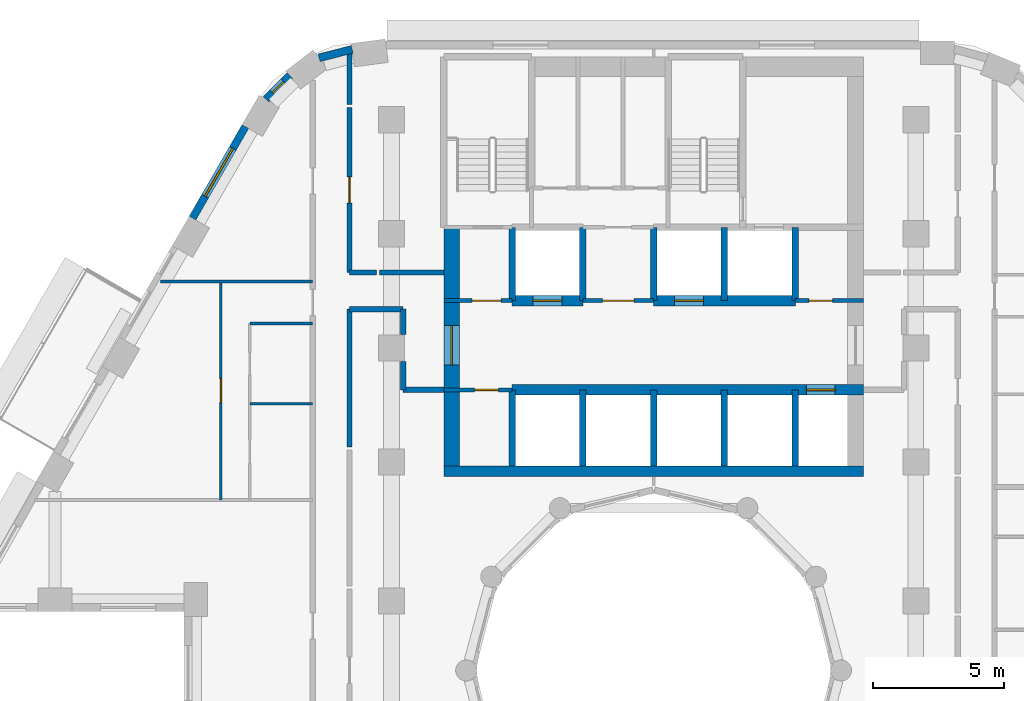
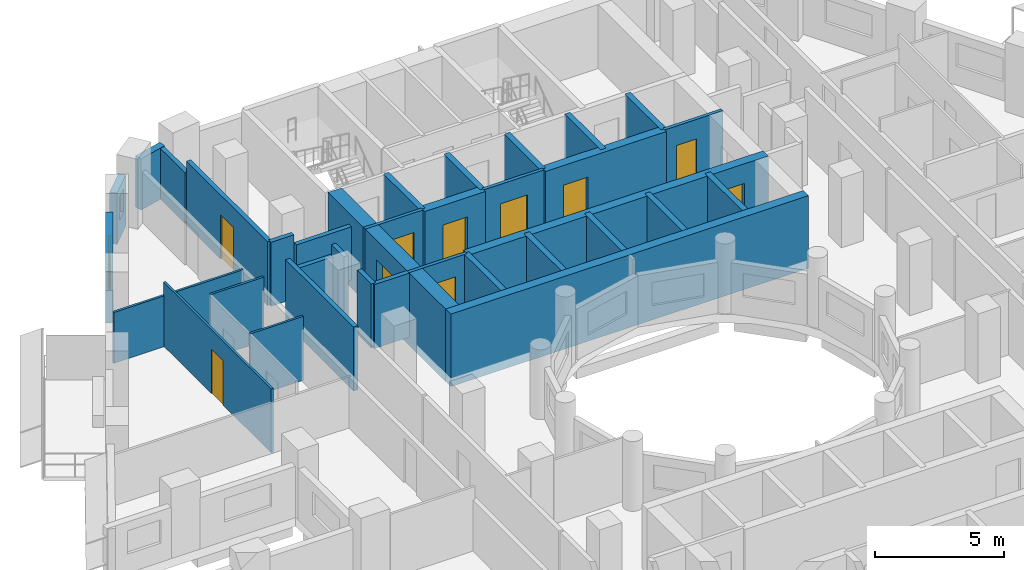
# One storey, part 7 of 14: 35 walls, 10 doors, 2 windows, 12 openings.
"""IFC4 building model written with IfcOpenShell, lengths in metres."""

from ifc_helpers import new_model, si_unit, direction, frame, frame_2d, origin, place, context, subcontext, project, spatial, rectangle, extrude, material, layer, layer_set, type_object, element, fill, save


model = new_model("IFC4")

# Units and contexts
model_context = context("Model", 3, precision=1e-05, world=origin(), true_north=direction((0.0, 1.0)))
body_context = subcontext(model_context, "Body", "Model", "MODEL_VIEW")
ifc_project = project(units=[si_unit("LENGTHUNIT", "METRE"), si_unit("AREAUNIT", "SQUARE_METRE"), si_unit("VOLUMEUNIT", "CUBIC_METRE"), si_unit("PLANEANGLEUNIT", "RADIAN"), si_unit("MASSUNIT", "GRAM", prefix="KILO")], contexts=[model_context])

# Site, building, storey
site_placement = place(None, origin())
site = spatial("IfcSite", under=ifc_project, at=site_placement, CompositionType="ELEMENT")
building_placement = place(site_placement, origin())
building = spatial("IfcBuilding", under=site, at=building_placement, Name="Nakaniwa Court", CompositionType="ELEMENT")
storey_placement = place(building_placement, frame((0.0, 0.0, 127.199951171875)))
storey = spatial("IfcBuildingStorey", under=building, at=storey_placement, Name="L32", CompositionType="ELEMENT", Elevation=127.199951171875)

# Walls
ifc_material_1 = material(Name="Acoustic double stud partition")
ifc_layer_1 = layer(ifc_material_1, 0.199951171875)
ifc_layer_set_1 = layer_set([ifc_layer_1], Name="Acoustic double stud partition")
wall_type_1 = type_object("IfcWallType", Name="Acoustic double stud partition 200", PredefinedType="PARTITIONING", material=ifc_layer_set_1)
wall_1_placement = place(storey_placement, frame((68.39990234375, 93.77490234375, 0.0), z_axis=(0.0, 0.0, 1.0), x_axis=(1.0, 0.0, 0.0)))
element("IfcWall", 1, at=wall_1_placement, inside=storey, type_object=wall_type_1, Name="Partition PW-086", PredefinedType="PARTITIONING", context=body_context, shape_type="SweptSolid", body=[
    extrude(rectangle(XDim=2.050048828125, YDim=0.199951171875, at=frame_2d((1.02490234375, 0.0))), origin(), (0.0, 0.0, 1.0), 2.505126953125),
])
wall_2_placement = place(storey_placement, frame((70.449951171875, 90.699951171875, 0.0), z_axis=(0.0, 0.0, 1.0), x_axis=(1.0, 0.0, 0.0)))
element("IfcWall", 2, at=wall_2_placement, inside=storey, type_object=wall_type_1, Name="Partition PW-092", PredefinedType="PARTITIONING", context=body_context, shape_type="SweptSolid", body=[
    extrude(rectangle(XDim=1.550048828125, YDim=0.199951171875, at=frame_2d((0.77490234375, 0.0))), origin(), (0.0, 0.0, 1.0), 3.025146484375),
])
wall_3_placement = place(storey_placement, frame((68.39990234375, 95.175048828125, 0.0), z_axis=(0.0, 0.0, 1.0), x_axis=(1.0, 0.0, 0.0)))
element("IfcWall", 3, at=wall_3_placement, inside=storey, type_object=wall_type_1, Name="Partition PW-094", PredefinedType="PARTITIONING", context=body_context, shape_type="SweptSolid", body=[
    extrude(rectangle(XDim=1.02294921875, YDim=0.199951171875, at=frame_2d((0.511474609375, 0.0))), origin(), (0.0, 0.0, 1.0), 3.025146484375),
])
wall_4_placement = place(storey_placement, frame((69.537109375, 95.175048828125, 0.0), z_axis=(0.0, 0.0, 1.0), x_axis=(1.0, 0.0, 0.0)))
element("IfcWall", 4, at=wall_4_placement, inside=storey, type_object=wall_type_1, Name="Partition PW-095", PredefinedType="PARTITIONING", context=body_context, shape_type="SweptSolid", body=[
    extrude(rectangle(XDim=2.462890625, YDim=0.199951171875, at=frame_2d((1.2314453125, 0.0))), origin(), (0.0, 0.0, 1.0), 2.505126953125),
])
wall_5_placement = place(storey_placement, frame((68.39990234375, 88.527099609375, 0.0), z_axis=(0.0, 0.0, 1.0), x_axis=(0.0, 1.0, 0.0)))
element("IfcWall", 5, at=wall_5_placement, inside=storey, type_object=wall_type_1, Name="Partition PW-107", PredefinedType="PARTITIONING", context=body_context, shape_type="SweptSolid", body=[
    extrude(rectangle(XDim=5.247802734375, YDim=0.199951171875, at=frame_2d((2.6240234375, 0.0))), origin(), (0.0, 0.0, 1.0), 3.025146484375),
])

# Wall, opening, door
wall_6_placement = place(storey_placement, frame((68.39990234375, 101.462890625, 0.0), z_axis=(0.0, 0.0, 1.0), x_axis=(0.0, -1.0, 0.0)))
wall_6 = element("IfcWall", 6, at=wall_6_placement, inside=storey, type_object=wall_type_1, Name="Partition PW-108", PredefinedType="PARTITIONING", context=body_context, shape_type="SweptSolid", body=[
    extrude(rectangle(XDim=6.287841796875, YDim=0.199951171875, at=frame_2d((3.14404296875, 0.0))), origin(), (0.0, 0.0, 1.0), 3.025146484375),
])
opening_1_placement = place(wall_6_placement, frame((2.64501953125, 0.0, 0.0)))
opening_1 = element("IfcOpeningElement", 7, at=opening_1_placement, cuts=wall_6, Name="Opening D-02-09", PredefinedType="OPENING", context=body_context, shape_type="SweptSolid", body=[
    extrude(rectangle(XDim=1.0, YDim=2.10009765625, at=frame_2d((0.5, 1.050048828125))), frame((0.0, 0.10986328125, 0.0), z_axis=(0.0, -1.0, 0.0), x_axis=(1.0, 0.0, 0.0)), (0.0, 0.0, 1.0), 0.219970703125),
])
ifc_material_2 = material(Name="Solid core timber door set, black veneer", Category="wood")
door_type_1 = type_object("IfcDoorType", Name="Internal door 1000", OperationType="NOTDEFINED", PredefinedType="DOOR", material=ifc_material_2)
door_1_placement = place(opening_1_placement, origin())
door_1 = element("IfcDoor", 8, at=door_1_placement, inside=storey, type_object=door_type_1, Name="Door D-02-09 L32-042", OperationType="SINGLE_SWING_LEFT", OverallHeight=2.10009765625, OverallWidth=1.0, PredefinedType="DOOR", context=body_context, shape_type="SweptSolid", body=[
    extrude(rectangle(XDim=1.0, YDim=2.10009765625, at=frame_2d((0.5, 1.050048828125))), frame((0.0, 0.02490234375, 0.0), z_axis=(0.0, -1.0, 0.0), x_axis=(1.0, 0.0, 0.0)), (0.0, 0.0, 1.0), 0.050048828125),
])
fill(opening_1, door_1)

# Walls
wall_7_placement = place(storey_placement, frame((68.39990234375, 101.5771484375, 0.0), z_axis=(0.0, 0.0, 1.0), x_axis=(0.0, 1.0, 0.0)))
element("IfcWall", 9, at=wall_7_placement, inside=storey, type_object=wall_type_1, Name="Partition PW-109", PredefinedType="PARTITIONING", context=body_context, shape_type="SweptSolid", body=[
    extrude(rectangle(XDim=2.02197265625, YDim=0.199951171875, at=frame_2d((1.010986328125, 0.0))), origin(), (0.0, 0.0, 1.0), 2.405029296875),
])
wall_8_placement = place(storey_placement, frame((70.449951171875, 90.699951171875, 0.0), z_axis=(0.0, 0.0, 1.0), x_axis=(0.0, 1.0, 0.0)))
element("IfcWall", 10, at=wall_8_placement, inside=storey, type_object=wall_type_1, Name="Partition PW-113", PredefinedType="PARTITIONING", context=body_context, shape_type="SweptSolid", body=[
    extrude(rectangle(XDim=1.082763671875, YDim=0.199951171875, at=frame_2d((0.54150390625, 0.0))), origin(), (0.0, 0.0, 1.0), 3.025146484375),
])
wall_9_placement = place(storey_placement, frame((70.449951171875, 92.817138671875, 0.0), z_axis=(0.0, 0.0, 1.0), x_axis=(0.0, 1.0, 0.0)))
element("IfcWall", 11, at=wall_9_placement, inside=storey, type_object=wall_type_1, Name="Partition PW-114", PredefinedType="PARTITIONING", context=body_context, shape_type="SweptSolid", body=[
    extrude(rectangle(XDim=0.957763671875, YDim=0.199951171875, at=frame_2d((0.47900390625, 0.0))), origin(), (0.0, 0.0, 1.0), 3.025146484375),
])
ifc_material_3 = material(Name="Charcoal ceramic cladding")
ifc_layer_2 = layer(ifc_material_3, 0.02, Name="Ceramic cladding")
ifc_material_4 = material(Name="Ventilated air cavity")
ifc_layer_3 = layer(ifc_material_4, 0.04, ventilated=True, Name="Ventilated cavity")
ifc_material_5 = material(Name="Mineral wool insulation")
ifc_layer_4 = layer(ifc_material_5, 0.1, Name="Insulation")
ifc_material_6 = material(Name="Cement bonded sheathing board")
ifc_layer_5 = layer(ifc_material_6, 0.012, Name="Sheathing")
ifc_material_7 = material(Name="Cold-formed galvanised stud frame with mineral wool infill")
ifc_layer_6 = layer(ifc_material_7, 0.1, Name="Stud frame")
ifc_material_8 = material(Name="Fire-rated gypsum plasterboard lining")
ifc_layer_7 = layer(ifc_material_8, 0.028, Name="Lining")
ifc_layer_set_2 = layer_set([ifc_layer_2, ifc_layer_3, ifc_layer_4, ifc_layer_5, ifc_layer_6, ifc_layer_7], Name="Charcoal ceramic faced external wall system")
wall_type_2 = type_object("IfcWallType", Name="Black ceramic faced external wall 300", PredefinedType="SOLIDWALL", material=ifc_layer_set_2)
wall_10_placement = place(storey_placement, frame((68.506103515625, 103.68310546875, 0.0), z_axis=(0.0, 0.0, 1.0), x_axis=(-0.96924493129, -0.246098076322, 0.0)))
element("IfcWall", 12, at=wall_10_placement, inside=storey, type_object=wall_type_2, Name="L32 external wall 09", PredefinedType="SOLIDWALL", context=body_context, shape_type="SweptSolid", body=[
    extrude(rectangle(XDim=1.305419921875, YDim=0.300048828125, at=frame_2d((0.65283203125, 0.0))), origin(), (0.0, 0.0, 1.0), 2.425048828125),
])

# Wall, opening, window
wall_11_placement = place(storey_placement, frame((66.12890625, 102.68798828125, 0.0), z_axis=(0.0, 0.0, 1.0), x_axis=(-0.70881270082, -0.705396735997, 0.0)))
wall_11 = element("IfcWall", 13, at=wall_11_placement, inside=storey, type_object=wall_type_2, Name="L32 external wall 10", PredefinedType="SOLIDWALL", context=body_context, shape_type="SweptSolid", body=[
    extrude(rectangle(XDim=1.286376953125, YDim=0.300048828125, at=frame_2d((0.64306640625, 0.0))), origin(), (0.0, 0.0, 1.0), 2.425048828125),
])
opening_2_placement = place(wall_11_placement, frame((0.3330078125, 0.0, 0.89990234375)))
opening_2 = element("IfcOpeningElement", 14, at=opening_2_placement, cuts=wall_11, Name="Opening W8.11", PredefinedType="OPENING", context=body_context, shape_type="SweptSolid", body=[
    extrude(rectangle(XDim=0.60009765625, YDim=1.10009765625, at=frame_2d((0.300048828125, 0.550048828125))), frame((0.0, 0.159912109375, 0.0), z_axis=(0.0, -1.0, 0.0), x_axis=(1.0, 0.0, 0.0)), (0.0, 0.0, 1.0), 0.320068359375),
])
ifc_material_9 = material(Name="Black anodised aluminium frame with dark low-E laminated double glazing", Category="aluminium")
window_type_1 = type_object("IfcWindowType", Name="Dark glass window 600x1100 sill 900", PartitioningType="SINGLE_PANEL", PredefinedType="WINDOW", material=ifc_material_9)
window_1_placement = place(opening_2_placement, origin())
window_1 = element("IfcWindow", 15, at=window_1_placement, inside=storey, type_object=window_type_1, Name="L32 habitable room window 10-0", OverallHeight=1.10009765625, OverallWidth=0.60009765625, PartitioningType="SINGLE_PANEL", PredefinedType="WINDOW", context=body_context, shape_type="SweptSolid", body=[
    extrude(rectangle(XDim=0.60009765625, YDim=1.10009765625, at=frame_2d((0.300048828125, 0.550048828125))), frame((0.0, 0.030029296875, 0.0), z_axis=(0.0, -1.0, 0.0), x_axis=(1.0, 0.0, 0.0)), (0.0, 0.0, 1.0), 0.06005859375),
])
fill(opening_2, window_1)

wall_12_placement = place(storey_placement, frame((64.434814453125, 100.739990234375, 0.0), z_axis=(0.0, 0.0, 1.0), x_axis=(-0.500031546601, -0.86600718958, 0.0)))
wall_12 = element("IfcWall", 16, at=wall_12_placement, inside=storey, type_object=wall_type_2, Name="L32 external wall 11", PredefinedType="SOLIDWALL", context=body_context, shape_type="SweptSolid", body=[
    extrude(rectangle(XDim=4.033935546875, YDim=0.300048828125, at=frame_2d((2.01708984375, 0.0))), origin(), (0.0, 0.0, 1.0), 2.425048828125),
])
opening_3_placement = place(wall_12_placement, frame((0.967041015625, 0.0, 0.89990234375)))
opening_3 = element("IfcOpeningElement", 17, at=opening_3_placement, cuts=wall_12, Name="Opening W7.12", PredefinedType="OPENING", context=body_context, shape_type="SweptSolid", body=[
    extrude(rectangle(XDim=2.10009765625, YDim=1.10009765625, at=frame_2d((1.050048828125, 0.550048828125))), frame((0.0, 0.159912109375, 0.0), z_axis=(0.0, -1.0, 0.0), x_axis=(1.0, 0.0, 0.0)), (0.0, 0.0, 1.0), 0.320068359375),
])
window_type_2 = type_object("IfcWindowType", Name="Dark glass window 2100x1100 sill 900", PartitioningType="SINGLE_PANEL", PredefinedType="WINDOW", material=ifc_material_9)
window_2_placement = place(opening_3_placement, origin())
window_2 = element("IfcWindow", 18, at=window_2_placement, inside=storey, type_object=window_type_2, Name="L32 habitable room window 11-0", OverallHeight=1.10009765625, OverallWidth=2.10009765625, PartitioningType="SINGLE_PANEL", PredefinedType="WINDOW", context=body_context, shape_type="SweptSolid", body=[
    extrude(rectangle(XDim=2.10009765625, YDim=1.10009765625, at=frame_2d((1.050048828125, 0.550048828125))), frame((0.0, 0.030029296875, 0.0), z_axis=(0.0, -1.0, 0.0), x_axis=(1.0, 0.0, 0.0)), (0.0, 0.0, 1.0), 0.06005859375),
])
fill(opening_3, window_2)

# Wall, opening, door
ifc_material_10 = material(Name="Blockwork partition", Category="masonry")
ifc_layer_8 = layer(ifc_material_10, 0.14990234375)
ifc_layer_set_3 = layer_set([ifc_layer_8], Name="Blockwork partition")
wall_type_3 = type_object("IfcWallType", Name="Blockwork partition 150", PredefinedType="PARTITIONING", material=ifc_layer_set_3)
wall_13_placement = place(storey_placement, frame((74.60009765625, 90.699951171875, 0.0), z_axis=(0.0, 0.0, 1.0), x_axis=(-1.0, 0.0, 0.0)))
wall_13 = element("IfcWall", 19, at=wall_13_placement, inside=storey, type_object=wall_type_3, Name="Partition PW-003", PredefinedType="PARTITIONING", context=body_context, shape_type="SweptSolid", body=[
    extrude(rectangle(XDim=2.60009765625, YDim=0.14990234375, at=frame_2d((1.300048828125, 0.0))), origin(), (0.0, 0.0, 1.0), 3.025146484375),
])
opening_4_placement = place(wall_13_placement, frame((0.52490234375, 0.0, 0.0)))
opening_4 = element("IfcOpeningElement", 20, at=opening_4_placement, cuts=wall_13, Name="Opening D-05-01", PredefinedType="OPENING", context=body_context, shape_type="SweptSolid", body=[
    extrude(rectangle(XDim=0.89990234375, YDim=2.10009765625, at=frame_2d((0.449951171875, 1.050048828125))), frame((0.0, 0.0849609375, 0.0), z_axis=(0.0, -1.0, 0.0), x_axis=(1.0, 0.0, 0.0)), (0.0, 0.0, 1.0), 0.169921875),
])
ifc_material_11 = material(Name="Fire rated steel door set", Category="steel")
door_type_2 = type_object("IfcDoorType", Name="Service room door 900", OperationType="NOTDEFINED", PredefinedType="DOOR", material=ifc_material_11)
door_2_placement = place(opening_4_placement, origin())
door_2 = element("IfcDoor", 21, at=door_2_placement, inside=storey, type_object=door_type_2, Name="Door D-05-01 L32-001", OperationType="SINGLE_SWING_RIGHT", OverallHeight=2.10009765625, OverallWidth=0.89990234375, PredefinedType="DOOR", context=body_context, shape_type="SweptSolid", body=[
    extrude(rectangle(XDim=0.89990234375, YDim=2.10009765625, at=frame_2d((0.449951171875, 1.050048828125))), frame((0.0, 0.02490234375, 0.0), z_axis=(0.0, -1.0, 0.0), x_axis=(1.0, 0.0, 0.0)), (0.0, 0.0, 1.0), 0.050048828125),
])
fill(opening_4, door_2)

wall_14_placement = place(storey_placement, frame((72.0, 94.10009765625, 0.0), z_axis=(0.0, 0.0, 1.0), x_axis=(1.0, 0.0, 0.0)))
wall_14 = element("IfcWall", 22, at=wall_14_placement, inside=storey, type_object=wall_type_3, Name="Partition PW-015", PredefinedType="PARTITIONING", context=body_context, shape_type="SweptSolid", body=[
    extrude(rectangle(XDim=2.60302734375, YDim=0.14990234375, at=frame_2d((1.301513671875, 0.0))), origin(), (0.0, 0.0, 1.0), 3.025146484375),
])
opening_5_placement = place(wall_14_placement, frame((1.074951171875, 0.0, 0.0)))
opening_5 = element("IfcOpeningElement", 23, at=opening_5_placement, cuts=wall_14, Name="Opening D-08-01", PredefinedType="OPENING", context=body_context, shape_type="SweptSolid", body=[
    extrude(rectangle(XDim=1.10009765625, YDim=2.10009765625, at=frame_2d((0.550048828125, 1.050048828125))), frame((0.0, 0.0849609375, 0.0), z_axis=(0.0, -1.0, 0.0), x_axis=(1.0, 0.0, 0.0)), (0.0, 0.0, 1.0), 0.169921875),
])
door_type_3 = type_object("IfcDoorType", Name="Stair lobby door 1100", OperationType="NOTDEFINED", PredefinedType="DOOR", material=ifc_material_11)
door_3_placement = place(opening_5_placement, origin())
door_3 = element("IfcDoor", 24, at=door_3_placement, inside=storey, type_object=door_type_3, Name="Door D-08-01 L32-002", OperationType="SINGLE_SWING_LEFT", OverallHeight=2.10009765625, OverallWidth=1.10009765625, PredefinedType="DOOR", context=body_context, shape_type="SweptSolid", body=[
    extrude(rectangle(XDim=1.10009765625, YDim=2.10009765625, at=frame_2d((0.550048828125, 1.050048828125))), frame((0.0, 0.02490234375, 0.0), z_axis=(0.0, -1.0, 0.0), x_axis=(1.0, 0.0, 0.0)), (0.0, 0.0, 1.0), 0.050048828125),
])
fill(opening_5, door_3)

wall_15_placement = place(storey_placement, frame((77.297119140625, 94.10009765625, 0.0), z_axis=(0.0, 0.0, 1.0), x_axis=(1.0, 0.0, 0.0)))
wall_15 = element("IfcWall", 25, at=wall_15_placement, inside=storey, type_object=wall_type_3, Name="Partition PW-016", PredefinedType="PARTITIONING", context=body_context, shape_type="SweptSolid", body=[
    extrude(rectangle(XDim=2.705810546875, YDim=0.14990234375, at=frame_2d((1.35302734375, 0.0))), origin(), (0.0, 0.0, 1.0), 3.025146484375),
])
opening_6_placement = place(wall_15_placement, frame((0.7529296875, 0.0, 0.0)))
opening_6 = element("IfcOpeningElement", 26, at=opening_6_placement, cuts=wall_15, Name="Opening D-06-01", PredefinedType="OPENING", context=body_context, shape_type="SweptSolid", body=[
    extrude(rectangle(XDim=1.199951171875, YDim=2.10009765625, at=frame_2d((0.60009765625, 1.050048828125))), frame((0.0, 0.0849609375, 0.0), z_axis=(0.0, -1.0, 0.0), x_axis=(1.0, 0.0, 0.0)), (0.0, 0.0, 1.0), 0.169921875),
])
ifc_material_12 = material(Name="Fire rated steel double door set", Category="steel")
door_type_4 = type_object("IfcDoorType", Name="Service passage double door 1200", OperationType="NOTDEFINED", PredefinedType="DOOR", material=ifc_material_12)
door_4_placement = place(opening_6_placement, origin())
door_4 = element("IfcDoor", 27, at=door_4_placement, inside=storey, type_object=door_type_4, Name="Door D-06-01 L32-003", OperationType="DOUBLE_DOOR_SINGLE_SWING", OverallHeight=2.10009765625, OverallWidth=1.199951171875, PredefinedType="DOOR", context=body_context, shape_type="SweptSolid", body=[
    extrude(rectangle(XDim=1.199951171875, YDim=2.10009765625, at=frame_2d((0.60009765625, 1.050048828125))), frame((0.0, 0.02490234375, 0.0), z_axis=(0.0, -1.0, 0.0), x_axis=(1.0, 0.0, 0.0)), (0.0, 0.0, 1.0), 0.050048828125),
])
fill(opening_6, door_4)

wall_16_placement = place(storey_placement, frame((85.39697265625, 94.10009765625, 0.0), z_axis=(0.0, 0.0, 1.0), x_axis=(1.0, 0.0, 0.0)))
wall_16 = element("IfcWall", 28, at=wall_16_placement, inside=storey, type_object=wall_type_3, Name="Partition PW-017", PredefinedType="PARTITIONING", context=body_context, shape_type="SweptSolid", body=[
    extrude(rectangle(XDim=2.60302734375, YDim=0.14990234375, at=frame_2d((1.301513671875, 0.0))), origin(), (0.0, 0.0, 1.0), 3.025146484375),
])
opening_7_placement = place(wall_16_placement, frame((0.528076171875, 0.0, 0.0)))
opening_7 = element("IfcOpeningElement", 29, at=opening_7_placement, cuts=wall_16, Name="Opening D-05-02", PredefinedType="OPENING", context=body_context, shape_type="SweptSolid", body=[
    extrude(rectangle(XDim=0.89990234375, YDim=2.10009765625, at=frame_2d((0.449951171875, 1.050048828125))), frame((0.0, 0.0849609375, 0.0), z_axis=(0.0, -1.0, 0.0), x_axis=(1.0, 0.0, 0.0)), (0.0, 0.0, 1.0), 0.169921875),
])
door_5_placement = place(opening_7_placement, origin())
door_5 = element("IfcDoor", 30, at=door_5_placement, inside=storey, type_object=door_type_2, Name="Door D-05-02 L32-004", OperationType="SINGLE_SWING_LEFT", OverallHeight=2.10009765625, OverallWidth=0.89990234375, PredefinedType="DOOR", context=body_context, shape_type="SweptSolid", body=[
    extrude(rectangle(XDim=0.89990234375, YDim=2.10009765625, at=frame_2d((0.449951171875, 1.050048828125))), frame((0.0, 0.02490234375, 0.0), z_axis=(0.0, -1.0, 0.0), x_axis=(1.0, 0.0, 0.0)), (0.0, 0.0, 1.0), 0.050048828125),
])
fill(opening_7, door_5)

ifc_material_13 = material(Name="Concrete C80/100", Category="concrete")
ifc_layer_9 = layer(ifc_material_13, 0.60009765625)
ifc_layer_set_4 = layer_set([ifc_layer_9], Name="Concrete C80/100")
wall_type_4 = type_object("IfcWallType", Name="Concrete core side wall 600 C80", PredefinedType="SHEAR", material=ifc_layer_set_4)
wall_17_placement = place(storey_placement, frame((72.300048828125, 87.800048828125, -0.409912109375), z_axis=(0.0, 0.0, 1.0), x_axis=(0.0, 1.0, 0.0)))
wall_17 = element("IfcWall", 31, at=wall_17_placement, inside=storey, type_object=wall_type_4, Name="Core wall SW-04", PredefinedType="SHEAR", context=body_context, shape_type="SweptSolid", body=[
    extrude(rectangle(XDim=9.099853515625, YDim=0.60009765625, at=frame_2d((4.5498046875, 0.0))), origin(), (0.0, 0.0, 1.0), 3.43505859375),
])
opening_8_placement = place(wall_17_placement, frame((3.85205078125, 0.0, 0.409912109375)))
opening_8 = element("IfcOpeningElement", 32, at=opening_8_placement, cuts=wall_17, Name="Opening D-07-02", PredefinedType="OPENING", context=body_context, shape_type="SweptSolid", body=[
    extrude(rectangle(XDim=1.5, YDim=2.10009765625, at=frame_2d((0.75, 1.050048828125))), frame((0.0, 0.31005859375, 0.0), z_axis=(0.0, -1.0, 0.0), x_axis=(1.0, 0.0, 0.0)), (0.0, 0.0, 1.0), 0.6201171875),
])
ifc_material_14 = material(Name="Glazed fire rated steel double door set", Category="steel")
door_type_5 = type_object("IfcDoorType", Name="Lobby double door 1500", OperationType="NOTDEFINED", PredefinedType="DOOR", material=ifc_material_14)
door_6_placement = place(opening_8_placement, origin())
door_6 = element("IfcDoor", 33, at=door_6_placement, inside=storey, type_object=door_type_5, Name="Door D-07-02 L32-048", OperationType="DOUBLE_DOOR_SINGLE_SWING", OverallHeight=2.10009765625, OverallWidth=1.5, PredefinedType="DOOR", context=body_context, shape_type="SweptSolid", body=[
    extrude(rectangle(XDim=1.5, YDim=2.10009765625, at=frame_2d((0.75, 1.050048828125))), frame((0.0, 0.02490234375, 0.0), z_axis=(0.0, -1.0, 0.0), x_axis=(1.0, 0.0, 0.0)), (0.0, 0.0, 1.0), 0.050048828125),
])
fill(opening_8, door_6)

ifc_layer_10 = layer(ifc_material_13, 0.39990234375)
ifc_layer_set_5 = layer_set([ifc_layer_10], Name="Concrete C80/100")
wall_type_5 = type_object("IfcWallType", Name="Concrete core spine wall 400 C80", PredefinedType="SHEAR", material=ifc_layer_set_5)
wall_18_placement = place(storey_placement, frame((74.60009765625, 90.699951171875, -0.409912109375), z_axis=(0.0, 0.0, 1.0), x_axis=(1.0, 0.0, 0.0)))
wall_18 = element("IfcWall", 34, at=wall_18_placement, inside=storey, type_object=wall_type_5, Name="Core wall SW-07", PredefinedType="SHEAR", context=body_context, shape_type="SweptSolid", body=[
    extrude(rectangle(XDim=13.39990234375, YDim=0.39990234375, at=frame_2d((6.699951171875, 0.0))), origin(), (0.0, 0.0, 1.0), 3.43505859375),
])
opening_9_placement = place(wall_18_placement, frame((11.22509765625, 0.0, 0.409912109375)))
opening_9 = element("IfcOpeningElement", 35, at=opening_9_placement, cuts=wall_18, Name="Opening LD01", PredefinedType="OPENING", context=body_context, shape_type="SweptSolid", body=[
    extrude(rectangle(XDim=1.10009765625, YDim=2.10009765625, at=frame_2d((0.550048828125, 1.050048828125))), frame((0.0, 0.2099609375, 0.0), z_axis=(0.0, -1.0, 0.0), x_axis=(1.0, 0.0, 0.0)), (0.0, 0.0, 1.0), 0.419921875),
])
ifc_material_15 = material(Name="Stainless steel sliding lift landing door", Category="steel")
door_type_6 = type_object("IfcDoorType", Name="Lift landing door 1100", OperationType="NOTDEFINED", PredefinedType="DOOR", material=ifc_material_15)
door_7_placement = place(opening_9_placement, origin())
door_7 = element("IfcDoor", 36, at=door_7_placement, inside=storey, type_object=door_type_6, Name="Lift landing door LD01 L32-001", OperationType="SLIDING_TO_LEFT", OverallHeight=2.10009765625, OverallWidth=1.10009765625, PredefinedType="DOOR", context=body_context, shape_type="SweptSolid", body=[
    extrude(rectangle(XDim=1.10009765625, YDim=2.10009765625, at=frame_2d((0.550048828125, 1.050048828125))), frame((0.0, 0.02490234375, 0.0), z_axis=(0.0, -1.0, 0.0), x_axis=(1.0, 0.0, 0.0)), (0.0, 0.0, 1.0), 0.050048828125),
])
fill(opening_9, door_7)

wall_19_placement = place(storey_placement, frame((74.596923828125, 94.10009765625, -0.409912109375), z_axis=(0.0, 0.0, 1.0), x_axis=(1.0, 0.0, 0.0)))
wall_19 = element("IfcWall", 37, at=wall_19_placement, inside=storey, type_object=wall_type_5, Name="Core wall SW-18", PredefinedType="SHEAR", context=body_context, shape_type="SweptSolid", body=[
    extrude(rectangle(XDim=2.7060546875, YDim=0.39990234375, at=frame_2d((1.35302734375, 0.0))), origin(), (0.0, 0.0, 1.0), 3.43505859375),
])
opening_10_placement = place(wall_19_placement, frame((0.802978515625, 0.0, 0.409912109375)))
opening_10 = element("IfcOpeningElement", 38, at=opening_10_placement, cuts=wall_19, Name="Opening LD02", PredefinedType="OPENING", context=body_context, shape_type="SweptSolid", body=[
    extrude(rectangle(XDim=1.10009765625, YDim=2.10009765625, at=frame_2d((0.550048828125, 1.050048828125))), frame((0.0, 0.2099609375, 0.0), z_axis=(0.0, -1.0, 0.0), x_axis=(1.0, 0.0, 0.0)), (0.0, 0.0, 1.0), 0.419921875),
])
door_8_placement = place(opening_10_placement, origin())
door_8 = element("IfcDoor", 39, at=door_8_placement, inside=storey, type_object=door_type_6, Name="Lift landing door LD02 L32-002", OperationType="SLIDING_TO_LEFT", OverallHeight=2.10009765625, OverallWidth=1.10009765625, PredefinedType="DOOR", context=body_context, shape_type="SweptSolid", body=[
    extrude(rectangle(XDim=1.10009765625, YDim=2.10009765625, at=frame_2d((0.550048828125, 1.050048828125))), frame((0.0, 0.02490234375, 0.0), z_axis=(0.0, -1.0, 0.0), x_axis=(1.0, 0.0, 0.0)), (0.0, 0.0, 1.0), 0.050048828125),
])
fill(opening_10, door_8)

wall_20_placement = place(storey_placement, frame((79.9970703125, 94.10009765625, -0.409912109375), z_axis=(0.0, 0.0, 1.0), x_axis=(1.0, 0.0, 0.0)))
wall_20 = element("IfcWall", 40, at=wall_20_placement, inside=storey, type_object=wall_type_5, Name="Core wall SW-19", PredefinedType="SHEAR", context=body_context, shape_type="SweptSolid", body=[
    extrude(rectangle(XDim=5.406005859375, YDim=0.39990234375, at=frame_2d((2.703125, 0.0))), origin(), (0.0, 0.0, 1.0), 3.43505859375),
])
opening_11_placement = place(wall_20_placement, frame((0.802978515625, 0.0, 0.409912109375)))
opening_11 = element("IfcOpeningElement", 41, at=opening_11_placement, cuts=wall_20, Name="Opening LD03", PredefinedType="OPENING", context=body_context, shape_type="SweptSolid", body=[
    extrude(rectangle(XDim=1.10009765625, YDim=2.10009765625, at=frame_2d((0.550048828125, 1.050048828125))), frame((0.0, 0.2099609375, 0.0), z_axis=(0.0, -1.0, 0.0), x_axis=(1.0, 0.0, 0.0)), (0.0, 0.0, 1.0), 0.419921875),
])
door_9_placement = place(opening_11_placement, origin())
door_9 = element("IfcDoor", 42, at=door_9_placement, inside=storey, type_object=door_type_6, Name="Lift landing door LD03 L32-003", OperationType="SLIDING_TO_LEFT", OverallHeight=2.10009765625, OverallWidth=1.10009765625, PredefinedType="DOOR", context=body_context, shape_type="SweptSolid", body=[
    extrude(rectangle(XDim=1.10009765625, YDim=2.10009765625, at=frame_2d((0.550048828125, 1.050048828125))), frame((0.0, 0.02490234375, 0.0), z_axis=(0.0, -1.0, 0.0), x_axis=(1.0, 0.0, 0.0)), (0.0, 0.0, 1.0), 0.050048828125),
])
fill(opening_11, door_9)

# Walls
ifc_layer_11 = layer(ifc_material_13, 0.39990234375)
ifc_layer_set_6 = layer_set([ifc_layer_11], Name="Concrete C80/100")
wall_type_6 = type_object("IfcWallType", Name="Concrete core well wall 400 C80", PredefinedType="SHEAR", material=ifc_layer_set_6)
wall_21_placement = place(storey_placement, frame((72.00390625, 87.60009765625, -0.409912109375), z_axis=(0.0, 0.0, 1.0), x_axis=(1.0, 0.0, 0.0)))
element("IfcWall", 43, at=wall_21_placement, inside=storey, type_object=wall_type_6, Name="Core wall SW-141", PredefinedType="SHEAR", context=body_context, shape_type="SweptSolid", body=[
    extrude(rectangle(XDim=15.9921875, YDim=0.39990234375, at=frame_2d((7.99609375, 0.0))), origin(), (0.0, 0.0, 1.0), 3.43505859375),
])
ifc_layer_12 = layer(ifc_material_13, 0.25)
ifc_layer_set_7 = layer_set([ifc_layer_12], Name="Concrete C80/100")
wall_type_7 = type_object("IfcWallType", Name="Concrete shaft wall 250 C80", PredefinedType="SHEAR", material=ifc_layer_set_7)
wall_22_placement = place(storey_placement, frame((74.60009765625, 87.800048828125, -0.409912109375), z_axis=(0.0, 0.0, 1.0), x_axis=(0.0, 1.0, 0.0)))
element("IfcWall", 44, at=wall_22_placement, inside=storey, type_object=wall_type_7, Name="Core wall SW-01", PredefinedType="SHEAR", context=body_context, shape_type="SweptSolid", body=[
    extrude(rectangle(XDim=2.89990234375, YDim=0.25, at=frame_2d((1.449951171875, 0.0))), origin(), (0.0, 0.0, 1.0), 3.43505859375),
])
wall_23_placement = place(storey_placement, frame((74.60009765625, 94.10009765625, -0.409912109375), z_axis=(0.0, 0.0, 1.0), x_axis=(0.0, 1.0, 0.0)))
element("IfcWall", 45, at=wall_23_placement, inside=storey, type_object=wall_type_7, Name="Core wall SW-02", PredefinedType="SHEAR", context=body_context, shape_type="SweptSolid", body=[
    extrude(rectangle(XDim=2.7998046875, YDim=0.25, at=frame_2d((1.39990234375, 0.0))), origin(), (0.0, 0.0, 1.0), 3.43505859375),
])
wall_24_placement = place(storey_placement, frame((77.300048828125, 87.800048828125, -0.409912109375), z_axis=(0.0, 0.0, 1.0), x_axis=(0.0, 1.0, 0.0)))
element("IfcWall", 46, at=wall_24_placement, inside=storey, type_object=wall_type_7, Name="Core wall SW-05", PredefinedType="SHEAR", context=body_context, shape_type="SweptSolid", body=[
    extrude(rectangle(XDim=2.89990234375, YDim=0.25, at=frame_2d((1.449951171875, 0.0))), origin(), (0.0, 0.0, 1.0), 3.43505859375),
])
wall_25_placement = place(storey_placement, frame((77.300048828125, 94.10009765625, -0.409912109375), z_axis=(0.0, 0.0, 1.0), x_axis=(0.0, 1.0, 0.0)))
element("IfcWall", 47, at=wall_25_placement, inside=storey, type_object=wall_type_7, Name="Core wall SW-06", PredefinedType="SHEAR", context=body_context, shape_type="SweptSolid", body=[
    extrude(rectangle(XDim=2.7998046875, YDim=0.25, at=frame_2d((1.39990234375, 0.0))), origin(), (0.0, 0.0, 1.0), 3.43505859375),
])
wall_26_placement = place(storey_placement, frame((80.0, 87.800048828125, -0.409912109375), z_axis=(0.0, 0.0, 1.0), x_axis=(0.0, 1.0, 0.0)))
element("IfcWall", 48, at=wall_26_placement, inside=storey, type_object=wall_type_7, Name="Core wall SW-08", PredefinedType="SHEAR", context=body_context, shape_type="SweptSolid", body=[
    extrude(rectangle(XDim=2.89990234375, YDim=0.25, at=frame_2d((1.449951171875, 0.0))), origin(), (0.0, 0.0, 1.0), 3.43505859375),
])
wall_27_placement = place(storey_placement, frame((80.0, 94.10009765625, -0.409912109375), z_axis=(0.0, 0.0, 1.0), x_axis=(0.0, 1.0, 0.0)))
element("IfcWall", 49, at=wall_27_placement, inside=storey, type_object=wall_type_7, Name="Core wall SW-09", PredefinedType="SHEAR", context=body_context, shape_type="SweptSolid", body=[
    extrude(rectangle(XDim=2.7998046875, YDim=0.25, at=frame_2d((1.39990234375, 0.0))), origin(), (0.0, 0.0, 1.0), 3.43505859375),
])
wall_28_placement = place(storey_placement, frame((82.699951171875, 87.800048828125, -0.409912109375), z_axis=(0.0, 0.0, 1.0), x_axis=(0.0, 1.0, 0.0)))
element("IfcWall", 50, at=wall_28_placement, inside=storey, type_object=wall_type_7, Name="Core wall SW-10", PredefinedType="SHEAR", context=body_context, shape_type="SweptSolid", body=[
    extrude(rectangle(XDim=2.89990234375, YDim=0.25, at=frame_2d((1.449951171875, 0.0))), origin(), (0.0, 0.0, 1.0), 3.43505859375),
])
wall_29_placement = place(storey_placement, frame((82.699951171875, 94.10009765625, -0.409912109375), z_axis=(0.0, 0.0, 1.0), x_axis=(0.0, 1.0, 0.0)))
element("IfcWall", 51, at=wall_29_placement, inside=storey, type_object=wall_type_7, Name="Core wall SW-11", PredefinedType="SHEAR", context=body_context, shape_type="SweptSolid", body=[
    extrude(rectangle(XDim=2.7998046875, YDim=0.25, at=frame_2d((1.39990234375, 0.0))), origin(), (0.0, 0.0, 1.0), 3.43505859375),
])
wall_30_placement = place(storey_placement, frame((85.39990234375, 87.800048828125, -0.409912109375), z_axis=(0.0, 0.0, 1.0), x_axis=(0.0, 1.0, 0.0)))
element("IfcWall", 52, at=wall_30_placement, inside=storey, type_object=wall_type_7, Name="Core wall SW-12", PredefinedType="SHEAR", context=body_context, shape_type="SweptSolid", body=[
    extrude(rectangle(XDim=2.89990234375, YDim=0.25, at=frame_2d((1.449951171875, 0.0))), origin(), (0.0, 0.0, 1.0), 3.43505859375),
])
wall_31_placement = place(storey_placement, frame((85.39990234375, 94.10009765625, -0.409912109375), z_axis=(0.0, 0.0, 1.0), x_axis=(0.0, 1.0, 0.0)))
element("IfcWall", 53, at=wall_31_placement, inside=storey, type_object=wall_type_7, Name="Core wall SW-13", PredefinedType="SHEAR", context=body_context, shape_type="SweptSolid", body=[
    extrude(rectangle(XDim=2.7998046875, YDim=0.25, at=frame_2d((1.39990234375, 0.0))), origin(), (0.0, 0.0, 1.0), 3.43505859375),
])
ifc_material_16 = material(Name="Single stud plasterboard partition")
ifc_layer_13 = layer(ifc_material_16, 0.10009765625)
ifc_layer_set_8 = layer_set([ifc_layer_13], Name="Single stud plasterboard partition")
wall_type_8 = type_object("IfcWallType", Name="Single stud plasterboard partition 100", PredefinedType="PARTITIONING", material=ifc_layer_set_8)
for number, where, z_axis, x_axis, name in (
    (54, (64.59912109375, 90.173095703125, 0.0), (0.0, 0.0, 1.0), (1.0, 0.0, 0.0), "Partition PW-136"),
    (55, (64.59912109375, 93.23291015625, 0.0), (0.0, 0.0, 1.0), (1.0, 0.0, 0.0), "Partition PW-138"),
):
    element("IfcWall", number, at=place(storey_placement, frame(where, z_axis=z_axis, x_axis=x_axis)), inside=storey, type_object=wall_type_8, Name=name, PredefinedType="PARTITIONING", context=body_context, shape_type="SweptSolid", body=[
        extrude(rectangle(XDim=2.39990234375, YDim=0.10009765625, at=frame_2d((1.199951171875, 0.0))), origin(), (0.0, 0.0, 1.0), 3.025146484375),
    ])

# Wall, opening, door
wall_32_placement = place(storey_placement, frame((63.4990234375, 86.5, 0.0), z_axis=(0.0, 0.0, 1.0), x_axis=(0.0, 1.0, 0.0)))
wall_32 = element("IfcWall", 56, at=wall_32_placement, inside=storey, type_object=wall_type_8, Name="Partition PW-139", PredefinedType="PARTITIONING", context=body_context, shape_type="SweptSolid", body=[
    extrude(rectangle(XDim=8.333251953125, YDim=0.10009765625, at=frame_2d((4.16650390625, 0.0))), origin(), (0.0, 0.0, 1.0), 3.025146484375),
])
opening_12_placement = place(wall_32_placement, frame((3.717041015625, 0.0, 0.0)))
opening_12 = element("IfcOpeningElement", 57, at=opening_12_placement, cuts=wall_32, Name="Opening D-33-07", PredefinedType="OPENING", context=body_context, shape_type="SweptSolid", body=[
    extrude(rectangle(XDim=0.89990234375, YDim=2.10009765625, at=frame_2d((0.449951171875, 1.050048828125))), frame((0.0, 0.06005859375, 0.0), z_axis=(0.0, -1.0, 0.0), x_axis=(1.0, 0.0, 0.0)), (0.0, 0.0, 1.0), 0.1201171875),
])
door_type_7 = type_object("IfcDoorType", Name="Internal door 900", OperationType="NOTDEFINED", PredefinedType="DOOR", material=ifc_material_2)
door_10_placement = place(opening_12_placement, origin())
door_10 = element("IfcDoor", 58, at=door_10_placement, inside=storey, type_object=door_type_7, Name="Door D-33-07 L32-041", OperationType="SINGLE_SWING_RIGHT", OverallHeight=2.10009765625, OverallWidth=0.89990234375, PredefinedType="DOOR", context=body_context, shape_type="SweptSolid", body=[
    extrude(rectangle(XDim=0.89990234375, YDim=2.10009765625, at=frame_2d((0.449951171875, 1.050048828125))), frame((0.0, 0.02490234375, 0.0), z_axis=(0.0, -1.0, 0.0), x_axis=(1.0, 0.0, 0.0)), (0.0, 0.0, 1.0), 0.050048828125),
])
fill(opening_12, door_10)

# Wall
wall_33_placement = place(storey_placement, frame((61.197509765625, 94.8330078125, 0.0), z_axis=(0.0, 0.0, 1.0), x_axis=(1.0, 0.0, 0.0)))
element("IfcWall", 59, at=wall_33_placement, inside=storey, type_object=wall_type_8, Name="Partition PW-140", PredefinedType="PARTITIONING", context=body_context, shape_type="SweptSolid", body=[
    extrude(rectangle(XDim=5.801513671875, YDim=0.10009765625, at=frame_2d((2.90087890625, 0.0))), origin(), (0.0, 0.0, 1.0), 2.405029296875),
])

save(model, "model.ifc")
